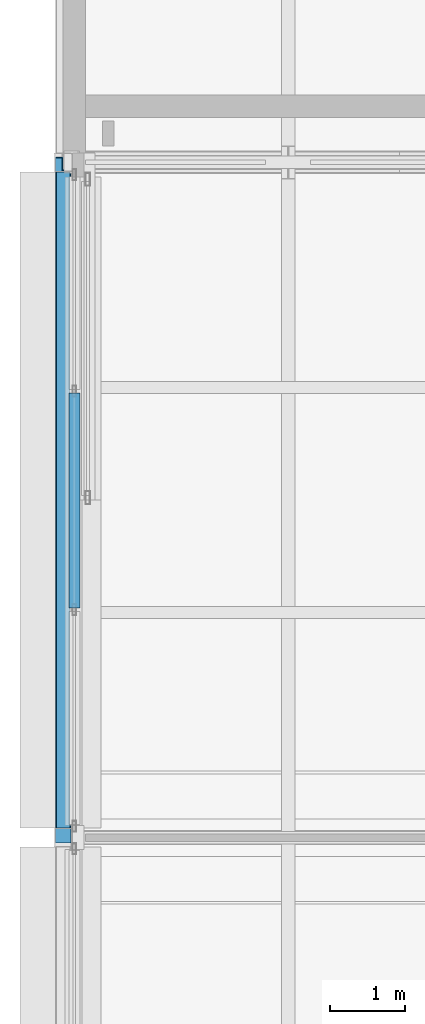
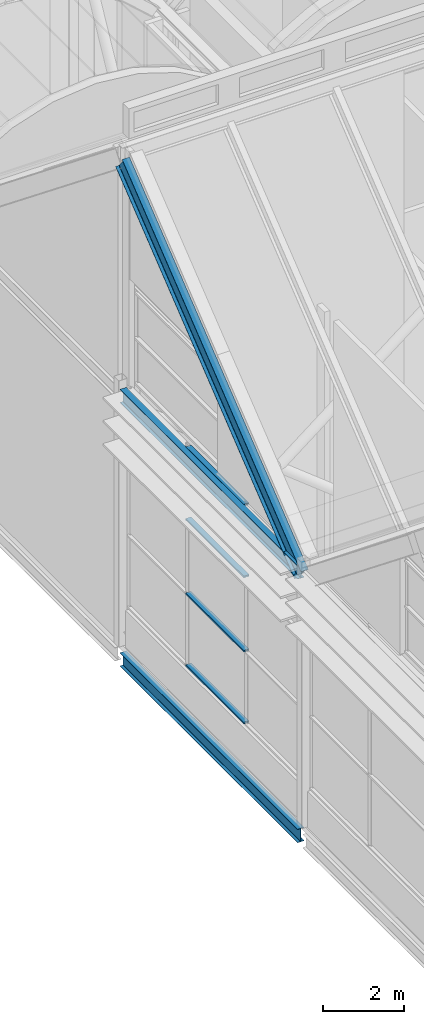
# One storey, part 34 of 144: 5 members, 2 beams, 1 element without a shape of its own.
"""IFC4 building model written with IfcOpenShell, lengths in metres."""

from ifc_helpers import new_model, si_unit, direction, frame, origin, origin_2d, place, context, subcontext, project, spatial, hollow_rectangle, i_section, extrude, material, layer, layer_set, material_profile, profile_set, type_object, element, aggregate, save


model = new_model("IFC4")

# Units and contexts
model_context = context("Model", 3, precision=1e-05, world=origin(), true_north=direction((0.0, 1.0)))
body_context = subcontext(model_context, "Body", "Model", "MODEL_VIEW")
ifc_project = project(units=[si_unit("LENGTHUNIT", "METRE"), si_unit("AREAUNIT", "SQUARE_METRE"), si_unit("VOLUMEUNIT", "CUBIC_METRE"), si_unit("PLANEANGLEUNIT", "RADIAN"), si_unit("MASSUNIT", "GRAM", prefix="KILO")], contexts=[model_context])

# Site, building, storey
site_placement = place(None, origin())
site = spatial("IfcSite", under=ifc_project, at=site_placement, CompositionType="ELEMENT")
building_placement = place(site_placement, origin())
building = spatial("IfcBuilding", under=site, at=building_placement, Name="Shorebreak Coast Museum", CompositionType="ELEMENT")
storey_placement = place(building_placement, frame((0.0, 0.0, 36.0)))
storey = spatial("IfcBuildingStorey", under=building, at=storey_placement, Name="L06", CompositionType="ELEMENT", Elevation=36.0)

# Beam
ifc_material_1 = material(Name="Steel Grade 300", Category="steel")
ifc_material_profile_1 = material_profile(ifc_material_1, i_section(OverallWidth=0.177978515625, OverallDepth=0.406494140625, WebThickness=0.0078125, FlangeThickness=0.0126953125, FilletRadius=0.011474609375, at=origin_2d()), Name="410UB59.7")
ifc_profile_set_1 = profile_set([ifc_material_profile_1], Name="Steel Grade 300")
beam_type_1 = type_object("IfcBeamType", Name="Floor girder north-south 410UB59.7", PredefinedType="BEAM", material=ifc_profile_set_1)
beam_1_placement = place(storey_placement, frame((54.0, 72.125, -0.378173828125), z_axis=(0.0, 1.0, 0.0), x_axis=(-1.0, 0.0, 0.0)))
element("IfcBeam", 1, at=beam_1_placement, inside=storey, type_object=beam_type_1, Name="Floor girder north-south L06 7J", PredefinedType="BEAM", context=body_context, shape_type="SweptSolid", body=[
    extrude(i_section(OverallWidth=0.177978515625, OverallDepth=0.406494140625, WebThickness=0.0078125, FlangeThickness=0.0126953125, FilletRadius=0.011474609375, at=origin_2d()), origin(), (0.0, 0.0, 1.0), 8.75),
])

# Member
ifc_material_2 = material(Name="Steel Grade 300", Category="steel")
ifc_material_profile_2 = material_profile(ifc_material_2, i_section(OverallWidth=0.208984375, OverallDepth=0.5283203125, WebThickness=0.009521484375, FlangeThickness=0.01318359375, FilletRadius=0.013916015625, at=origin_2d()), Name="530UB82.0")
ifc_profile_set_2 = profile_set([ifc_material_profile_2], Name="Steel Grade 300")
member_type_1 = type_object("IfcMemberType", Name="Fold rib rafter 530UB82.0", PredefinedType="RAFTER", material=ifc_profile_set_2)
member_1_placement = place(storey_placement, frame((54.0, 80.905029296875, 14.52978515625), z_axis=(0.0, -0.780866698312, -0.624697686459), x_axis=(1.0, 0.0, 0.0)))
element("IfcMember", 2, at=member_1_placement, inside=storey, type_object=member_type_1, Name="Fold rib rafter FOLD-X line 3 01", PredefinedType="RAFTER", context=body_context, shape_type="SweptSolid", body=[
    extrude(i_section(OverallWidth=0.208984375, OverallDepth=0.5283203125, WebThickness=0.009521484375, FlangeThickness=0.01318359375, FilletRadius=0.013916015625, at=origin_2d()), origin(), (0.0, 0.0, 1.0), 11.282470703125),
])

# Beam
ifc_material_3 = material(Name="Steel Grade 300", Category="steel")
ifc_material_profile_3 = material_profile(ifc_material_3, i_section(OverallWidth=0.177978515625, OverallDepth=0.402587890625, WebThickness=0.007568359375, FlangeThickness=0.010986328125, FilletRadius=0.011474609375, at=origin_2d()), Name="410UB53.7")
ifc_profile_set_3 = profile_set([ifc_material_profile_3], Name="Steel Grade 300")
beam_type_2 = type_object("IfcBeamType", Name="Fold rib tie 410UB53.7", PredefinedType="BEAM", material=ifc_profile_set_3)
beam_2_placement = place(storey_placement, frame((54.0, 72.125, 7.54248046875), z_axis=(0.0, 1.0, 0.0), x_axis=(-1.0, 0.0, 0.0)))
element("IfcBeam", 3, at=beam_2_placement, inside=storey, type_object=beam_type_2, Name="Fold rib tie FOLD-X rib 7 J-K", PredefinedType="BEAM", context=body_context, shape_type="SweptSolid", body=[
    extrude(i_section(OverallWidth=0.177978515625, OverallDepth=0.402587890625, WebThickness=0.007568359375, FlangeThickness=0.010986328125, FilletRadius=0.011474609375, at=origin_2d()), origin(), (0.0, 0.0, 1.0), 8.75),
])

# Curtain wall, members
ifc_material_4 = material(Name="Aluminium", Category="aluminium")
ifc_layer = layer(ifc_material_4, 0.14990234375)
ifc_layer_set = layer_set([ifc_layer], Name="Aluminium")
curtain_wall_type = type_object("IfcCurtainWallType", Name="Storefront curtain wall", PredefinedType="NOTDEFINED", material=ifc_layer_set)
curtain_wall_placement = place(storey_placement, origin())
curtain_wall = element("IfcCurtainWall", 4, at=curtain_wall_placement, inside=storey, type_object=curtain_wall_type, Name="Atrium Hall glazing L06 W 28", PredefinedType="NOTDEFINED")
ifc_material_5 = material(Name="Aluminium", Category="aluminium")
ifc_material_profile_4 = material_profile(ifc_material_5, hollow_rectangle(XDim=0.14990234375, YDim=0.050048828125, WallThickness=0.00390625, at=origin_2d()), Name="AL 50x150 RHS")
ifc_profile_set_4 = profile_set([ifc_material_profile_4], Name="Aluminium")
member_type_2 = type_object("IfcMemberType", Name="Storefront transom 150 x 50", PredefinedType="USERDEFINED", material=ifc_profile_set_4)
member_2_placement = place(storey_placement, frame((54.14990234375, 75.06201171875, 1.175048828125), z_axis=(0.0, 1.0, 0.0), x_axis=(-1.0, 0.0, 0.0)))
member_2 = element("IfcMember", 5, at=member_2_placement, type_object=member_type_2, Name="CW5 transom 2.1", ObjectType="TRANSOM", PredefinedType="USERDEFINED", context=body_context, shape_type="SweptSolid", body=[
    extrude(hollow_rectangle(XDim=0.14990234375, YDim=0.050048828125, WallThickness=0.00390625, at=origin_2d()), origin(), (0.0, 0.0, 1.0), 2.862060546875),
])
member_3_placement = place(storey_placement, frame((54.14990234375, 75.06201171875, 3.333251953125), z_axis=(0.0, 1.0, 0.0), x_axis=(-1.0, 0.0, 0.0)))
member_3 = element("IfcMember", 6, at=member_3_placement, type_object=member_type_2, Name="CW5 transom 2.2", ObjectType="TRANSOM", PredefinedType="USERDEFINED", context=body_context, shape_type="SweptSolid", body=[
    extrude(hollow_rectangle(XDim=0.14990234375, YDim=0.050048828125, WallThickness=0.00390625, at=origin_2d()), origin(), (0.0, 0.0, 1.0), 2.862060546875),
])
member_4_placement = place(storey_placement, frame((54.14990234375, 75.06201171875, 5.566650390625), z_axis=(0.0, 1.0, 0.0), x_axis=(-1.0, 0.0, 0.0)))
member_4 = element("IfcMember", 7, at=member_4_placement, type_object=member_type_2, Name="CW5 transom 2.3", ObjectType="TRANSOM", PredefinedType="USERDEFINED", context=body_context, shape_type="SweptSolid", body=[
    extrude(hollow_rectangle(XDim=0.14990234375, YDim=0.050048828125, WallThickness=0.00390625, at=origin_2d()), origin(), (0.0, 0.0, 1.0), 2.862060546875),
])
member_5_placement = place(storey_placement, frame((54.14990234375, 75.06201171875, 7.72509765625), z_axis=(0.0, 1.0, 0.0), x_axis=(-1.0, 0.0, 0.0)))
member_5 = element("IfcMember", 8, at=member_5_placement, type_object=member_type_2, Name="CW5 transom 2.4", ObjectType="TRANSOM", PredefinedType="USERDEFINED", context=body_context, shape_type="SweptSolid", body=[
    extrude(hollow_rectangle(XDim=0.14990234375, YDim=0.050048828125, WallThickness=0.00390625, at=origin_2d()), origin(), (0.0, 0.0, 1.0), 2.862060546875),
])
aggregate(curtain_wall, [member_2, member_3, member_4, member_5])

save(model, "model.ifc")
